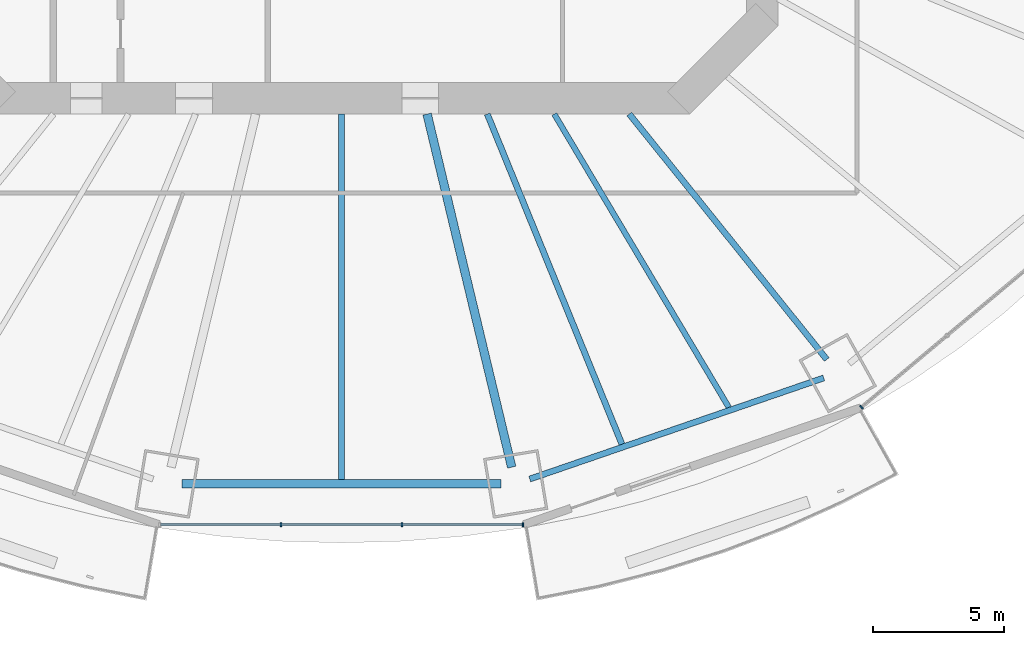
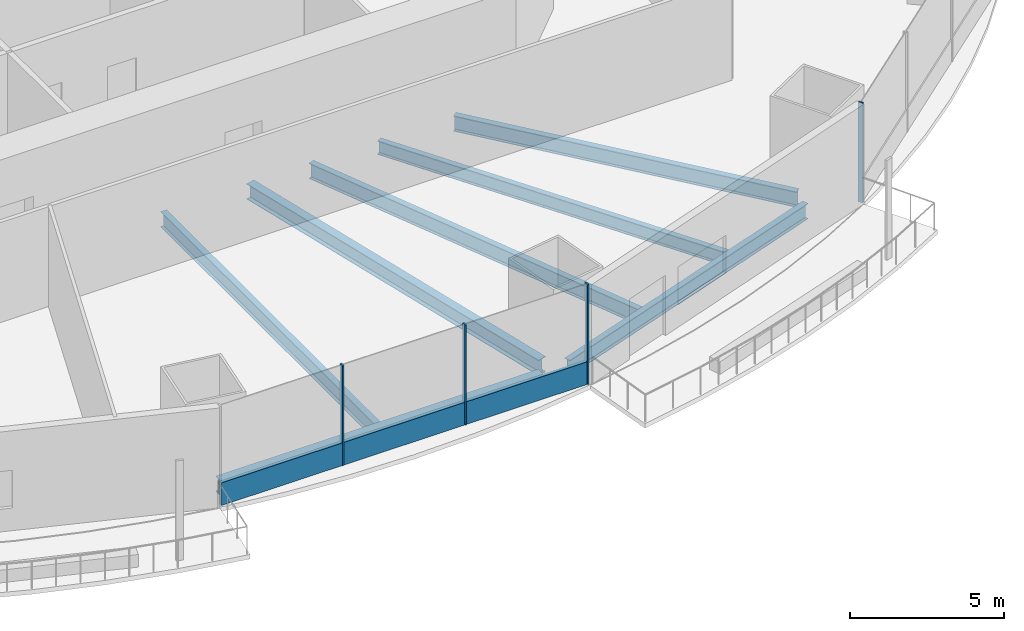
# One storey, part 4 of 22: 7 beams, 5 members, 2 elements without a shape of their own.
"""IFC4 building model written with IfcOpenShell, lengths in metres."""

from ifc_helpers import new_model, si_unit, direction, frame, origin, origin_2d, place, context, subcontext, project, spatial, rectangle, i_section, extrude, material, material_profile, profile_set, type_object, element, aggregate, save


model = new_model("IFC4")

# Units and contexts
model_context = context("Model", 3, precision=1e-05, world=origin(), true_north=direction((0.0, 1.0)))
body_context = subcontext(model_context, "Body", "Model", "MODEL_VIEW")
ifc_project = project(units=[si_unit("LENGTHUNIT", "METRE"), si_unit("AREAUNIT", "SQUARE_METRE"), si_unit("VOLUMEUNIT", "CUBIC_METRE"), si_unit("PLANEANGLEUNIT", "RADIAN"), si_unit("MASSUNIT", "GRAM", prefix="KILO")], contexts=[model_context])

# Site, building, storey
site_placement = place(None, origin())
site = spatial("IfcSite", under=ifc_project, at=site_placement, CompositionType="ELEMENT")
building_placement = place(site_placement, origin())
building = spatial("IfcBuilding", under=site, at=building_placement, Name="Marenthal Gate Tower", CompositionType="ELEMENT")
storey_placement = place(building_placement, frame((0.0, 0.0, 70.35009765625)))
storey = spatial("IfcBuildingStorey", under=building, at=storey_placement, Name="L13", CompositionType="ELEMENT", Elevation=70.35009765625)

# Curtain wall, members
ifc_material_1 = material(Name="Aluminium and glass", Category="aluminium")
curtain_wall_type = type_object("IfcCurtainWallType", Name="Curtain wall typical low", PredefinedType="NOTDEFINED", material=ifc_material_1)
curtain_wall_1_placement = place(storey_placement, origin())
curtain_wall_1 = element("IfcCurtainWall", 1, at=curtain_wall_1_placement, inside=storey, type_object=curtain_wall_type, Name="Curtain wall L13 bay 12", PredefinedType="NOTDEFINED")
ifc_material_2 = material(Name="Aluminium", Category="aluminium")
ifc_material_profile_1 = material_profile(ifc_material_2, rectangle(XDim=0.159912109375, YDim=0.06005859375, at=origin_2d()), Name="60x160 aluminium mullion")
ifc_profile_set_1 = profile_set([ifc_material_profile_1], Name="Aluminium")
member_type_1 = type_object("IfcMemberType", Name="Mullion 60x160 typical low", PredefinedType="MULLION", material=ifc_profile_set_1)
member_1_placement = place(storey_placement, frame((-2.302001953125, -29.211669921875, 0.0), z_axis=(0.0, 0.0, 1.0), x_axis=(0.0, 1.0, 0.0)))
member_1 = element("IfcMember", 2, at=member_1_placement, type_object=member_type_1, Name="Mullion L13 bay 12.2", PredefinedType="MULLION", context=body_context, shape_type="SweptSolid", body=[
    extrude(rectangle(XDim=0.159912109375, YDim=0.06005859375, at=origin_2d()), origin(), (0.0, 0.0, 1.0), 3.969970703125),
])
member_2_placement = place(storey_placement, frame((2.302001953125, -29.211669921875, 0.0), z_axis=(0.0, 0.0, 1.0), x_axis=(0.0, 1.0, 0.0)))
member_2 = element("IfcMember", 3, at=member_2_placement, type_object=member_type_1, Name="Mullion L13 bay 12.3", PredefinedType="MULLION", context=body_context, shape_type="SweptSolid", body=[
    extrude(rectangle(XDim=0.159912109375, YDim=0.06005859375, at=origin_2d()), origin(), (0.0, 0.0, 1.0), 3.969970703125),
])
member_3_placement = place(storey_placement, frame((6.906005859375, -29.211669921875, 0.0), z_axis=(0.0, 0.0, 1.0), x_axis=(0.0, 1.0, 0.0)))
member_3 = element("IfcMember", 4, at=member_3_placement, type_object=member_type_1, Name="Mullion L13 bay 12.4", PredefinedType="MULLION", context=body_context, shape_type="SweptSolid", body=[
    extrude(rectangle(XDim=0.159912109375, YDim=0.06005859375, at=origin_2d()), origin(), (0.0, 0.0, 1.0), 3.969970703125),
])

# Curtain wall, member
curtain_wall_2_placement = place(storey_placement, origin())
curtain_wall_2 = element("IfcCurtainWall", 5, at=curtain_wall_2_placement, inside=storey, type_object=curtain_wall_type, Name="Curtain wall L13 bay 14", PredefinedType="NOTDEFINED")
member_4_placement = place(storey_placement, frame((19.775146484375, -24.7451171875, 0.0), z_axis=(0.0, 0.0, 1.0), x_axis=(-0.642176178992, 0.76655707885, 0.0)))
member_4 = element("IfcMember", 6, at=member_4_placement, type_object=member_type_1, Name="Mullion L13 bay 14.1", PredefinedType="MULLION", context=body_context, shape_type="SweptSolid", body=[
    extrude(rectangle(XDim=0.159912109375, YDim=0.06005859375, at=origin_2d()), origin(), (0.0, 0.0, 1.0), 3.969970703125),
])
aggregate(curtain_wall_2, [member_4])

# Member
ifc_material_3 = material(Name="Aluminium", Category="aluminium")
ifc_material_profile_2 = material_profile(ifc_material_3, rectangle(XDim=0.1201171875, YDim=0.89990234375, at=origin_2d()), Name="120x900 aluminium transom")
ifc_profile_set_2 = profile_set([ifc_material_profile_2], Name="Aluminium")
member_type_2 = type_object("IfcMemberType", Name="Transom 120x900 typical low", PredefinedType="USERDEFINED", material=ifc_profile_set_2)
member_5_placement = place(storey_placement, frame((-6.8759765625, -29.211669921875, 0.449951171875), z_axis=(1.0, 0.0, 0.0), x_axis=(0.0, 1.0, 0.0)))
member_5 = element("IfcMember", 7, at=member_5_placement, type_object=member_type_2, Name="Transom L13 bay 12", ObjectType="TRANSOM", PredefinedType="USERDEFINED", context=body_context, shape_type="SweptSolid", body=[
    extrude(rectangle(XDim=0.1201171875, YDim=0.89990234375, at=origin_2d()), origin(), (0.0, 0.0, 1.0), 13.751953125),
])

aggregate(curtain_wall_1, [member_1, member_2, member_3, member_5])

# Beams
ifc_material_4 = material(Name="Steel S355", Category="steel")
ifc_material_profile_3 = material_profile(ifc_material_4, i_section(OverallWidth=0.2119140625, OverallDepth=0.5439453125, WebThickness=0.01318359375, FlangeThickness=0.021240234375, FilletRadius=0.0126953125, at=origin_2d()), Name="W530X123")
ifc_profile_set_3 = profile_set([ifc_material_profile_3], Name="Steel S355")
beam_type_1 = type_object("IfcBeamType", Name="W530X123 beam", PredefinedType="BEAM", material=ifc_profile_set_3)
beam_1_placement = place(storey_placement, frame((14.732421875, -24.754150390625, -0.4521484375), z_axis=(-0.511433266122, 0.859322997658, 0.0), x_axis=(-0.859322997658, -0.511433266122, 0.0)))
element("IfcBeam", 8, at=beam_1_placement, inside=storey, type_object=beam_type_1, Name="BM-L13-36", PredefinedType="BEAM", context=body_context, shape_type="SweptSolid", body=[
    extrude(i_section(OverallWidth=0.2119140625, OverallDepth=0.5439453125, WebThickness=0.01318359375, FlangeThickness=0.021240234375, FilletRadius=0.0126953125, at=origin_2d()), origin(), (0.0, 0.0, 1.0), 12.97998046875),
])
ifc_material_5 = material(Name="Steel S355", Category="steel")
ifc_material_profile_4 = material_profile(ifc_material_5, i_section(OverallWidth=0.22900390625, OverallDepth=0.612060546875, WebThickness=0.011962890625, FlangeThickness=0.01953125, FilletRadius=0.0126953125, at=origin_2d()), Name="W610X125")
ifc_profile_set_4 = profile_set([ifc_material_profile_4], Name="Steel S355")
beam_type_2 = type_object("IfcBeamType", Name="W610X125 beam", PredefinedType="BEAM", material=ifc_profile_set_4)
beam_2_placement = place(storey_placement, frame((18.456298828125, -22.93115234375, -0.486083984375), z_axis=(-0.62700397479, 0.779016056059, 0.0), x_axis=(-0.779016056059, -0.62700397479, 0.0)))
element("IfcBeam", 9, at=beam_2_placement, inside=storey, type_object=beam_type_2, Name="BM-L13-14", PredefinedType="BEAM", context=body_context, shape_type="SweptSolid", body=[
    extrude(i_section(OverallWidth=0.22900390625, OverallDepth=0.612060546875, WebThickness=0.011962890625, FlangeThickness=0.01953125, FilletRadius=0.0126953125, at=origin_2d()), origin(), (0.0, 0.0, 1.0), 11.97802734375),
])
beam_3_placement = place(storey_placement, frame((0.0, -27.49951171875, -0.486083984375), z_axis=(0.0, 1.0, 0.0), x_axis=(-1.0, 0.0, 0.0)))
element("IfcBeam", 10, at=beam_3_placement, inside=storey, type_object=beam_type_2, Name="BM-L13-34", PredefinedType="BEAM", context=body_context, shape_type="SweptSolid", body=[
    extrude(i_section(OverallWidth=0.22900390625, OverallDepth=0.612060546875, WebThickness=0.011962890625, FlangeThickness=0.01953125, FilletRadius=0.0126953125, at=origin_2d()), origin(), (0.0, 0.0, 1.0), 13.8994140625),
])
beam_4_placement = place(storey_placement, frame((10.666748046875, -26.152099609375, -0.486083984375), z_axis=(-0.377666991807, 0.925941490214, 0.0), x_axis=(-0.925941490214, -0.377666991807, 0.0)))
element("IfcBeam", 11, at=beam_4_placement, inside=storey, type_object=beam_type_2, Name="BM-L13-35", PredefinedType="BEAM", context=body_context, shape_type="SweptSolid", body=[
    extrude(i_section(OverallWidth=0.22900390625, OverallDepth=0.612060546875, WebThickness=0.011962890625, FlangeThickness=0.01953125, FilletRadius=0.0126953125, at=origin_2d()), origin(), (0.0, 0.0, 1.0), 13.555908203125),
])
beam_5_placement = place(storey_placement, frame((7.162109375, -27.478515625, -0.486083984375), z_axis=(0.94564769726, 0.325192916076, 0.0), x_axis=(-0.325192916076, 0.94564769726, 0.0)))
element("IfcBeam", 12, at=beam_5_placement, inside=storey, type_object=beam_type_2, Name="BM-L13-53", PredefinedType="BEAM", context=body_context, shape_type="SweptSolid", body=[
    extrude(i_section(OverallWidth=0.22900390625, OverallDepth=0.612060546875, WebThickness=0.011962890625, FlangeThickness=0.01953125, FilletRadius=0.0126953125, at=origin_2d()), origin(), (0.0, 0.0, 1.0), 11.819091796875),
])
ifc_material_6 = material(Name="Steel S355", Category="steel")
ifc_material_profile_5 = material_profile(ifc_material_6, i_section(OverallWidth=0.324951171875, OverallDepth=0.612060546875, WebThickness=0.0126953125, FlangeThickness=0.01904296875, FilletRadius=0.0126953125, at=origin_2d()), Name="W610X155")
ifc_profile_set_5 = profile_set([ifc_material_profile_5], Name="Steel S355")
beam_type_3 = type_object("IfcBeamType", Name="W610X155 beam", PredefinedType="BEAM", material=ifc_profile_set_5)
beam_6_placement = place(storey_placement, frame((6.4755859375, -27.027099609375, -0.486083984375), z_axis=(-0.233000428797, 0.972476632203, 0.0), x_axis=(-0.972476632203, -0.233000428797, 0.0)))
element("IfcBeam", 13, at=beam_6_placement, inside=storey, type_object=beam_type_3, Name="BM-L13-13", PredefinedType="BEAM", context=body_context, shape_type="SweptSolid", body=[
    extrude(i_section(OverallWidth=0.324951171875, OverallDepth=0.612060546875, WebThickness=0.0126953125, FlangeThickness=0.01904296875, FilletRadius=0.0126953125, at=origin_2d()), origin(), (0.0, 0.0, 1.0), 13.80712890625),
])
beam_7_placement = place(storey_placement, frame((-6.063720703125, -27.662109375, -0.486083984375), z_axis=(1.0, 0.0, 0.0), x_axis=(0.0, 1.0, 0.0)))
element("IfcBeam", 14, at=beam_7_placement, inside=storey, type_object=beam_type_3, Name="BM-L13-52", PredefinedType="BEAM", context=body_context, shape_type="SweptSolid", body=[
    extrude(i_section(OverallWidth=0.324951171875, OverallDepth=0.612060546875, WebThickness=0.0126953125, FlangeThickness=0.01904296875, FilletRadius=0.0126953125, at=origin_2d()), origin(), (0.0, 0.0, 1.0), 12.12744140625),
])

save(model, "model.ifc")
